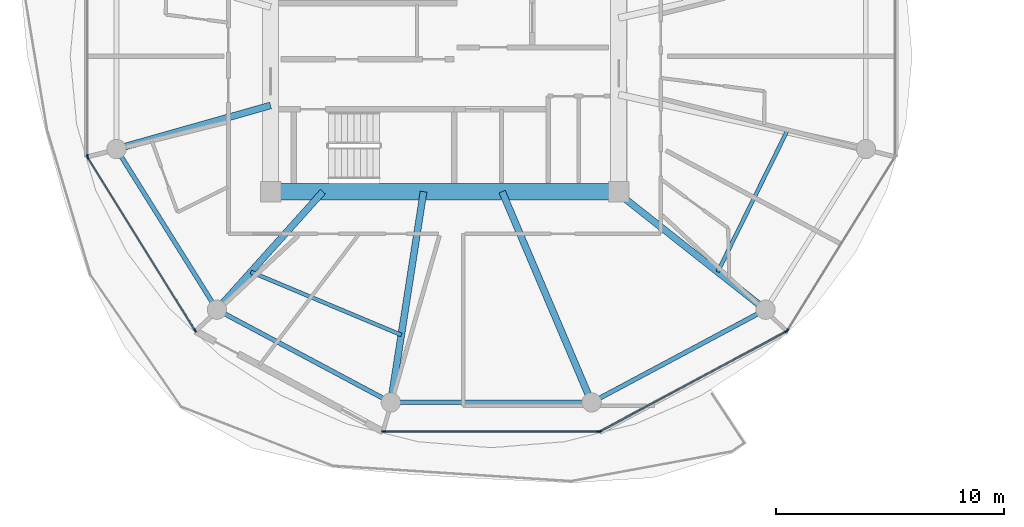
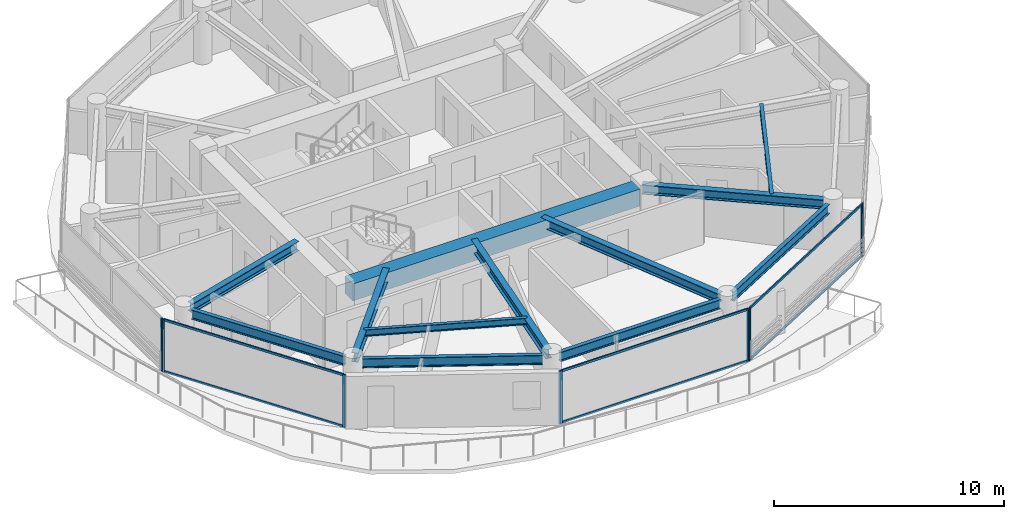
# One storey, part 2 of 24: 14 members, 12 beams, 5 elements without a shape of their own.
"""IFC4 building model written with IfcOpenShell, lengths in metres."""

from ifc_helpers import new_model, si_unit, direction, frame, origin, origin_2d, place, context, subcontext, project, spatial, rectangle, i_section, extrude, source, transform, mapped, material, layer, layer_set, material_profile, profile_set, type_object, type_shapes, element, aggregate, save


model = new_model("IFC4")

# Units and contexts
model_context = context("Model", 3, precision=1e-05, world=origin(), true_north=direction((0.0, 1.0)))
body_context = subcontext(model_context, "Body", "Model", "MODEL_VIEW")
ifc_project = project(units=[si_unit("LENGTHUNIT", "METRE"), si_unit("AREAUNIT", "SQUARE_METRE"), si_unit("VOLUMEUNIT", "CUBIC_METRE"), si_unit("PLANEANGLEUNIT", "RADIAN"), si_unit("MASSUNIT", "GRAM", prefix="KILO")], contexts=[model_context])

# Site, building, storey
site_placement = place(None, origin())
site = spatial("IfcSite", under=ifc_project, at=site_placement, CompositionType="ELEMENT")
building_placement = place(site_placement, origin())
building = spatial("IfcBuilding", under=site, at=building_placement, Name="Norrkilde Senior Care Towers", CompositionType="ELEMENT")
storey_placement = place(building_placement, frame((0.0, 0.0, 108.449951171875)))
storey = spatial("IfcBuildingStorey", under=building, at=storey_placement, Name="L33", CompositionType="ELEMENT", Elevation=108.449951171875)

# Beams
ifc_material_1 = material(Name="Concrete C60/75", Category="concrete")
ifc_material_profile_1 = material_profile(ifc_material_1, rectangle(XDim=0.699951171875, YDim=0.89990234375, at=origin_2d()), Name="RC BM 700x900")
ifc_profile_set_1 = profile_set([ifc_material_profile_1], Name="Concrete C60/75")
beam_type_1 = type_object("IfcBeamType", Name="Core Coupling Girder 700x900", PredefinedType="USERDEFINED", material=ifc_profile_set_1)
shared_shape_1 = source(origin(), body_context, "Body", "SweptSolid", [
    extrude(rectangle(XDim=0.699951171875, YDim=0.89990234375, at=origin_2d()), origin(), (0.0, 0.0, 1.0), 14.43994140625),
])
type_shapes(beam_type_1, [shared_shape_1])
beam_1_placement = place(storey_placement, frame((-35.219970703125, -5.949951171875, 2.340087890625), z_axis=(1.0, 0.0, 0.0), x_axis=(0.0, 1.0, 0.0)))
element("IfcBeam", 1, at=beam_1_placement, inside=storey, type_object=beam_type_1, Name="L33 Core W S Coupling Girder", ObjectType="GIRDER", PredefinedType="USERDEFINED", context=body_context, shape_type="MappedRepresentation", body=[
    mapped(shared_shape_1, transform((0.0, 0.0, 0.0), x_axis=(1.0, 0.0, 0.0), y_axis=(0.0, 1.0, 0.0), z_axis=(0.0, 0.0, 1.0), scale=1.0)),
])
ifc_material_2 = material(Name="Steel S355", Category="steel")
ifc_material_profile_2 = material_profile(ifc_material_2, i_section(OverallWidth=0.199951171875, OverallDepth=0.5, WebThickness=0.01025390625, FlangeThickness=0.01611328125, FilletRadius=0.02099609375, at=origin_2d()), Name="IPE 500")
ifc_profile_set_2 = profile_set([ifc_material_profile_2], Name="Steel S355")
beam_type_2 = type_object("IfcBeamType", Name="Perimeter Ring Spandrel Z2 IPE500", PredefinedType="SPANDREL", material=ifc_profile_set_2)
shared_shape_2 = source(origin(), body_context, "Body", "SweptSolid", [
    extrude(i_section(OverallWidth=0.199951171875, OverallDepth=0.5, WebThickness=0.01025390625, FlangeThickness=0.01611328125, FilletRadius=0.02099609375, at=origin_2d()), origin(), (0.0, 0.0, 1.0), 7.892333984375),
])
for number, where, z_axis, x_axis, name in (
    (2, (-37.66650390625, -11.318115234375, 2.5400390625), (0.882350372282, -0.47059305194, 0.0), (0.47059305194, 0.882350372282, 0.0), "L33 Drum W Perimeter Spandrel 08"),
    (3, (-21.197509765625, -15.0322265625, 2.5400390625), (0.882350372282, 0.47059305194, 0.0), (-0.47059305194, 0.882350372282, 0.0), "L33 Drum W Perimeter Spandrel 10"),
):
    element("IfcBeam", number, at=place(storey_placement, frame(where, z_axis=z_axis, x_axis=x_axis)), inside=storey, type_object=beam_type_2, Name=name, PredefinedType="SPANDREL", context=body_context, shape_type="MappedRepresentation", body=[
        mapped(shared_shape_2, transform((0.0, 0.0, 0.0), x_axis=(1.0, 0.0, 0.0), y_axis=(0.0, 1.0, 0.0), z_axis=(0.0, 0.0, 1.0), scale=1.0)),
    ])
ifc_material_profile_3 = material_profile(ifc_material_2, i_section(OverallWidth=0.300048828125, OverallDepth=0.5, WebThickness=0.014404296875, FlangeThickness=0.028076171875, FilletRadius=0.027099609375, at=origin_2d()), Name="HEB 500")
ifc_profile_set_3 = profile_set([ifc_material_profile_3], Name="Steel S355")
beam_type_3 = type_object("IfcBeamType", Name="Radial Floor Beam Z2 HEB500", PredefinedType="BEAM", material=ifc_profile_set_3)
shared_shape_3 = source(origin(), body_context, "Body", "SweptSolid", [
    extrude(i_section(OverallWidth=0.300048828125, OverallDepth=0.5, WebThickness=0.014404296875, FlangeThickness=0.028076171875, FilletRadius=0.027099609375, at=origin_2d()), origin(), (0.0, 0.0, 1.0), 7.985595703125),
])
beam_2_placement = place(storey_placement, frame((-20.463623046875, -5.949951171875, 2.5400390625), z_axis=(0.784858505144, -0.619675017169, 0.0), x_axis=(0.619675017169, 0.784858505144, 0.0)))
element("IfcBeam", 4, at=beam_2_placement, inside=storey, type_object=beam_type_3, Name="L33 Drum W Radial Floor Beam 11", PredefinedType="BEAM", context=body_context, shape_type="MappedRepresentation", body=[
    mapped(shared_shape_3, transform((0.0, 0.0, 0.0), x_axis=(1.0, 0.0, 0.0), y_axis=(0.0, 1.0, 0.0), z_axis=(0.0, 0.0, 1.0), scale=1.0)),
])
shared_shape_4 = source(origin(), body_context, "Body", "SweptSolid", [
    extrude(i_section(OverallWidth=0.199951171875, OverallDepth=0.5, WebThickness=0.01025390625, FlangeThickness=0.01611328125, FilletRadius=0.02099609375, at=origin_2d()), origin(), (0.0, 0.0, 1.0), 8.0556640625),
])
beam_3_placement = place(storey_placement, frame((-29.977783203125, -15.21337890625, 2.5400390625), z_axis=(1.0, 0.0, 0.0), x_axis=(0.0, 1.0, 0.0)))
element("IfcBeam", 5, at=beam_3_placement, inside=storey, type_object=beam_type_2, Name="L33 Drum W Perimeter Spandrel 09", PredefinedType="SPANDREL", context=body_context, shape_type="MappedRepresentation", body=[
    mapped(shared_shape_4, transform((0.0, 0.0, 0.0), x_axis=(1.0, 0.0, 0.0), y_axis=(0.0, 1.0, 0.0), z_axis=(0.0, 0.0, 1.0), scale=1.0)),
])
shared_shape_5 = source(origin(), body_context, "Body", "SweptSolid", [
    extrude(i_section(OverallWidth=0.300048828125, OverallDepth=0.5, WebThickness=0.014404296875, FlangeThickness=0.028076171875, FilletRadius=0.027099609375, at=origin_2d()), origin(), (0.0, 0.0, 1.0), 9.679443359375),
])
beam_4_placement = place(storey_placement, frame((-25.472412109375, -5.949951171875, 2.5400390625), z_axis=(0.390998033479, -0.920391513333, 0.0), x_axis=(0.920391513333, 0.390998033479, 0.0)))
element("IfcBeam", 6, at=beam_4_placement, inside=storey, type_object=beam_type_3, Name="L33 Drum W Radial Floor Beam 10", PredefinedType="BEAM", context=body_context, shape_type="MappedRepresentation", body=[
    mapped(shared_shape_5, transform((0.0, 0.0, 0.0), x_axis=(1.0, 0.0, 0.0), y_axis=(0.0, 1.0, 0.0), z_axis=(0.0, 0.0, 1.0), scale=1.0)),
])
shared_shape_6 = source(origin(), body_context, "Body", "SweptSolid", [
    extrude(i_section(OverallWidth=0.300048828125, OverallDepth=0.5, WebThickness=0.014404296875, FlangeThickness=0.028076171875, FilletRadius=0.027099609375, at=origin_2d()), origin(), (0.0, 0.0, 1.0), 8.989501953125),
])
beam_5_placement = place(storey_placement, frame((-28.924072265625, -5.949951171875, 2.5400390625), z_axis=(-0.153471298636, -0.988153105796, 0.0), x_axis=(0.988153105796, -0.153471298636, 0.0)))
element("IfcBeam", 7, at=beam_5_placement, inside=storey, type_object=beam_type_3, Name="L33 Drum W Radial Floor Beam 09", PredefinedType="BEAM", context=body_context, shape_type="MappedRepresentation", body=[
    mapped(shared_shape_6, transform((0.0, 0.0, 0.0), x_axis=(1.0, 0.0, 0.0), y_axis=(0.0, 1.0, 0.0), z_axis=(0.0, 0.0, 1.0), scale=1.0)),
])
shared_shape_7 = source(origin(), body_context, "Body", "SweptSolid", [
    extrude(i_section(OverallWidth=0.199951171875, OverallDepth=0.5, WebThickness=0.01025390625, FlangeThickness=0.01611328125, FilletRadius=0.02099609375, at=origin_2d()), origin(), (0.0, 0.0, 1.0), 7.556396484375),
])
type_shapes(beam_type_2, [shared_shape_2, shared_shape_4, shared_shape_7])
beam_6_placement = place(storey_placement, frame((-42.215087890625, -4.40283203125, 2.5400390625), z_axis=(0.530004748437, -0.847994673706, 0.0), x_axis=(0.847994673706, 0.530004748437, 0.0)))
element("IfcBeam", 8, at=beam_6_placement, inside=storey, type_object=beam_type_2, Name="L33 Drum W Perimeter Spandrel 07", PredefinedType="SPANDREL", context=body_context, shape_type="MappedRepresentation", body=[
    mapped(shared_shape_7, transform((0.0, 0.0, 0.0), x_axis=(1.0, 0.0, 0.0), y_axis=(0.0, 1.0, 0.0), z_axis=(0.0, 0.0, 1.0), scale=1.0)),
])
shared_shape_8 = source(origin(), body_context, "Body", "SweptSolid", [
    extrude(i_section(OverallWidth=0.300048828125, OverallDepth=0.5, WebThickness=0.014404296875, FlangeThickness=0.028076171875, FilletRadius=0.027099609375, at=origin_2d()), origin(), (0.0, 0.0, 1.0), 6.587890625),
])
beam_7_placement = place(storey_placement, frame((-33.345947265625, -5.949951171875, 2.5400390625), z_axis=(-0.668315438605, -0.743877997068, 0.0), x_axis=(0.743877997068, -0.668315438605, 0.0)))
element("IfcBeam", 9, at=beam_7_placement, inside=storey, type_object=beam_type_3, Name="L33 Drum W Radial Floor Beam 08", PredefinedType="BEAM", context=body_context, shape_type="MappedRepresentation", body=[
    mapped(shared_shape_8, transform((0.0, 0.0, 0.0), x_axis=(1.0, 0.0, 0.0), y_axis=(0.0, 1.0, 0.0), z_axis=(0.0, 0.0, 1.0), scale=1.0)),
])
shared_shape_9 = source(origin(), body_context, "Body", "SweptSolid", [
    extrude(i_section(OverallWidth=0.300048828125, OverallDepth=0.5, WebThickness=0.014404296875, FlangeThickness=0.028076171875, FilletRadius=0.027099609375, at=origin_2d()), origin(), (0.0, 0.0, 1.0), 6.6494140625),
])
type_shapes(beam_type_3, [shared_shape_3, shared_shape_5, shared_shape_6, shared_shape_8, shared_shape_9])
beam_8_placement = place(storey_placement, frame((-35.64990234375, -2.162841796875, 2.5400390625), z_axis=(-0.962289138357, -0.27202870106, 0.0), x_axis=(0.27202870106, -0.962289138357, 0.0)))
element("IfcBeam", 10, at=beam_8_placement, inside=storey, type_object=beam_type_3, Name="L33 Drum W Radial Floor Beam 07", PredefinedType="BEAM", context=body_context, shape_type="MappedRepresentation", body=[
    mapped(shared_shape_9, transform((0.0, 0.0, 0.0), x_axis=(1.0, 0.0, 0.0), y_axis=(0.0, 1.0, 0.0), z_axis=(0.0, 0.0, 1.0), scale=1.0)),
])
ifc_material_profile_4 = material_profile(ifc_material_2, i_section(OverallWidth=0.169921875, OverallDepth=0.360107421875, WebThickness=0.008056640625, FlangeThickness=0.0126953125, FilletRadius=0.01806640625, at=origin_2d()), Name="IPE 360")
ifc_profile_set_4 = profile_set([ifc_material_profile_4], Name="Steel S355")
beam_type_4 = type_object("IfcBeamType", Name="Secondary Floor Joist IPE360", PredefinedType="JOIST", material=ifc_profile_set_4)
shared_shape_10 = source(origin(), body_context, "Body", "SweptSolid", [
    extrude(i_section(OverallWidth=0.169921875, OverallDepth=0.360107421875, WebThickness=0.008056640625, FlangeThickness=0.0126953125, FilletRadius=0.01806640625, at=origin_2d()), origin(), (0.0, 0.0, 1.0), 7.169921875),
])
beam_9_placement = place(storey_placement, frame((-36.514892578125, -9.47705078125, 2.610107421875), z_axis=(0.922240600393, -0.386616444279, 0.0), x_axis=(0.386616444279, 0.922240600393, 0.0)))
element("IfcBeam", 11, at=beam_9_placement, inside=storey, type_object=beam_type_4, Name="L33 Drum W Secondary Floor Joist 3", PredefinedType="JOIST", context=body_context, shape_type="MappedRepresentation", body=[
    mapped(shared_shape_10, transform((0.0, 0.0, 0.0), x_axis=(1.0, 0.0, 0.0), y_axis=(0.0, 1.0, 0.0), z_axis=(0.0, 0.0, 1.0), scale=1.0)),
])
shared_shape_11 = source(origin(), body_context, "Body", "SweptSolid", [
    extrude(i_section(OverallWidth=0.169921875, OverallDepth=0.360107421875, WebThickness=0.008056640625, FlangeThickness=0.0126953125, FilletRadius=0.01806640625, at=origin_2d()), origin(), (0.0, 0.0, 1.0), 6.87353515625),
])
type_shapes(beam_type_4, [shared_shape_10, shared_shape_11])
beam_10_placement = place(storey_placement, frame((-15.99609375, -9.47705078125, 2.610107421875), z_axis=(0.44184939592, 0.897089243791, 0.0), x_axis=(-0.897089243791, 0.44184939592, 0.0)))
element("IfcBeam", 12, at=beam_10_placement, inside=storey, type_object=beam_type_4, Name="L33 Drum W Secondary Floor Joist 4", PredefinedType="JOIST", context=body_context, shape_type="MappedRepresentation", body=[
    mapped(shared_shape_11, transform((0.0, 0.0, 0.0), x_axis=(1.0, 0.0, 0.0), y_axis=(0.0, 1.0, 0.0), z_axis=(0.0, 0.0, 1.0), scale=1.0)),
])

# Curtain wall, member
ifc_material_3 = material(Name="Triple Low-E Insulated Glazing", Category="glass")
ifc_layer = layer(ifc_material_3, 0.195068359375)
ifc_layer_set = layer_set([ifc_layer], Name="Triple Low-E Insulated Glazing")
curtain_wall_type = type_object("IfcCurtainWallType", Name="CW3 Zone 2 Assisted Living Curtain Wall", PredefinedType="NOTDEFINED", material=ifc_layer_set)
curtain_wall_1_placement = place(storey_placement, origin())
curtain_wall_1 = element("IfcCurtainWall", 13, at=curtain_wall_1_placement, inside=storey, type_object=curtain_wall_type, Name="L33 Drum W Curtain Wall 05", PredefinedType="NOTDEFINED")
ifc_material_4 = material(Name="Anodised Aluminium", Category="aluminium")
ifc_material_profile_5 = material_profile(ifc_material_4, rectangle(XDim=0.06494140625, YDim=0.159912109375, at=origin_2d()), Name="ALU MULL 65x160")
ifc_profile_set_5 = profile_set([ifc_material_profile_5], Name="Anodised Aluminium")
member_type_1 = type_object("IfcMemberType", Name="Curtain Wall Mullion Z1-Z2 65x160", PredefinedType="MULLION", material=ifc_profile_set_5)
shared_shape_12 = source(origin(), body_context, "Body", "SweptSolid", [
    extrude(rectangle(XDim=0.06494140625, YDim=0.159912109375, at=origin_2d()), origin(), (0.0, 0.0, 1.0), 2.7900390625),
])
type_shapes(member_type_1, [shared_shape_12])
member_1_placement = place(storey_placement, frame((-43.70361328125, -4.38818359375, 0.0), z_axis=(0.0, 0.0, 1.0), x_axis=(-1.0, 0.0, 0.0)))
member_1 = element("IfcMember", 14, at=member_1_placement, type_object=member_type_1, Name="CW-3 mullion 1", PredefinedType="MULLION", context=body_context, shape_type="MappedRepresentation", body=[
    mapped(shared_shape_12, transform((0.0, 0.0, 0.0), x_axis=(1.0, 0.0, 0.0), y_axis=(0.0, 1.0, 0.0), z_axis=(0.0, 0.0, 1.0), scale=1.0)),
])
aggregate(curtain_wall_1, [member_1])

# Curtain wall, members
curtain_wall_2_placement = place(storey_placement, origin())
curtain_wall_2 = element("IfcCurtainWall", 15, at=curtain_wall_2_placement, inside=storey, type_object=curtain_wall_type, Name="L33 Drum W Curtain Wall 06", PredefinedType="NOTDEFINED")
member_2_placement = place(storey_placement, frame((-38.9638671875, -12.0498046875, 0.0), z_axis=(0.0, 0.0, 1.0), x_axis=(-0.849410171862, -0.527733228002, 0.0)))
member_2 = element("IfcMember", 16, at=member_2_placement, type_object=member_type_1, Name="CW-3 mullion 1", PredefinedType="MULLION", context=body_context, shape_type="MappedRepresentation", body=[
    mapped(shared_shape_12, transform((0.0, 0.0, 0.0), x_axis=(1.0, 0.0, 0.0), y_axis=(0.0, 1.0, 0.0), z_axis=(0.0, 0.0, 1.0), scale=1.0)),
])
member_3_placement = place(storey_placement, frame((-43.6865234375, -4.4482421875, 0.0), z_axis=(0.0, 0.0, 1.0), x_axis=(-0.849410171862, -0.527733228002, 0.0)))
member_3 = element("IfcMember", 17, at=member_3_placement, type_object=member_type_1, Name="CW-3 mullion 2", PredefinedType="MULLION", context=body_context, shape_type="MappedRepresentation", body=[
    mapped(shared_shape_12, transform((0.0, 0.0, 0.0), x_axis=(1.0, 0.0, 0.0), y_axis=(0.0, 1.0, 0.0), z_axis=(0.0, 0.0, 1.0), scale=1.0)),
])

curtain_wall_3_placement = place(storey_placement, origin())
curtain_wall_3 = element("IfcCurtainWall", 18, at=curtain_wall_3_placement, inside=storey, type_object=curtain_wall_type, Name="L33 Drum W Curtain Wall 08", PredefinedType="NOTDEFINED")
member_4_placement = place(storey_placement, frame((-21.225341796875, -16.498046875, 0.0), z_axis=(0.0, 0.0, 1.0), x_axis=(0.0, -1.0, 0.0)))
member_4 = element("IfcMember", 19, at=member_4_placement, type_object=member_type_1, Name="CW-3 mullion 1", PredefinedType="MULLION", context=body_context, shape_type="MappedRepresentation", body=[
    mapped(shared_shape_12, transform((0.0, 0.0, 0.0), x_axis=(1.0, 0.0, 0.0), y_axis=(0.0, 1.0, 0.0), z_axis=(0.0, 0.0, 1.0), scale=1.0)),
])
member_5_placement = place(storey_placement, frame((-30.674560546875, -16.498046875, 0.0), z_axis=(0.0, 0.0, 1.0), x_axis=(0.0, -1.0, 0.0)))
member_5 = element("IfcMember", 20, at=member_5_placement, type_object=member_type_1, Name="CW-3 mullion 2", PredefinedType="MULLION", context=body_context, shape_type="MappedRepresentation", body=[
    mapped(shared_shape_12, transform((0.0, 0.0, 0.0), x_axis=(1.0, 0.0, 0.0), y_axis=(0.0, 1.0, 0.0), z_axis=(0.0, 0.0, 1.0), scale=1.0)),
])

curtain_wall_4_placement = place(storey_placement, origin())
curtain_wall_4 = element("IfcCurtainWall", 21, at=curtain_wall_4_placement, inside=storey, type_object=curtain_wall_type, Name="L33 Drum W Curtain Wall 09", PredefinedType="NOTDEFINED")
member_6_placement = place(storey_placement, frame((-12.98193359375, -12.0927734375, 0.0), z_axis=(0.0, 0.0, 1.0), x_axis=(0.472769402511, -0.881186184668, 0.0)))
member_6 = element("IfcMember", 22, at=member_6_placement, type_object=member_type_1, Name="CW-3 mullion 1", PredefinedType="MULLION", context=body_context, shape_type="MappedRepresentation", body=[
    mapped(shared_shape_12, transform((0.0, 0.0, 0.0), x_axis=(1.0, 0.0, 0.0), y_axis=(0.0, 1.0, 0.0), z_axis=(0.0, 0.0, 1.0), scale=1.0)),
])
member_7_placement = place(storey_placement, frame((-21.164306640625, -16.482666015625, 0.0), z_axis=(0.0, 0.0, 1.0), x_axis=(0.472769402511, -0.881186184668, 0.0)))
member_7 = element("IfcMember", 23, at=member_7_placement, type_object=member_type_1, Name="CW-3 mullion 2", PredefinedType="MULLION", context=body_context, shape_type="MappedRepresentation", body=[
    mapped(shared_shape_12, transform((0.0, 0.0, 0.0), x_axis=(1.0, 0.0, 0.0), y_axis=(0.0, 1.0, 0.0), z_axis=(0.0, 0.0, 1.0), scale=1.0)),
])

# Curtain wall, member
curtain_wall_5_placement = place(storey_placement, origin())
curtain_wall_5 = element("IfcCurtainWall", 24, at=curtain_wall_5_placement, inside=storey, type_object=curtain_wall_type, Name="L33 Drum W Curtain Wall 10", PredefinedType="NOTDEFINED")
member_8_placement = place(storey_placement, frame((-12.936279296875, -12.0498046875, 0.0), z_axis=(0.0, 0.0, 1.0), x_axis=(0.849410171862, -0.527733228002, 0.0)))
member_8 = element("IfcMember", 25, at=member_8_placement, type_object=member_type_1, Name="CW-3 mullion 2", PredefinedType="MULLION", context=body_context, shape_type="MappedRepresentation", body=[
    mapped(shared_shape_12, transform((0.0, 0.0, 0.0), x_axis=(1.0, 0.0, 0.0), y_axis=(0.0, 1.0, 0.0), z_axis=(0.0, 0.0, 1.0), scale=1.0)),
])
aggregate(curtain_wall_5, [member_8])

# Member
ifc_material_profile_6 = material_profile(ifc_material_4, rectangle(XDim=0.06005859375, YDim=0.1201171875, at=origin_2d()), Name="ALU TRAN 60x120")
ifc_profile_set_6 = profile_set([ifc_material_profile_6], Name="Anodised Aluminium")
member_type_2 = type_object("IfcMemberType", Name="Curtain Wall Transom Typical 60x120", PredefinedType="USERDEFINED", material=ifc_profile_set_6)
shared_shape_13 = source(origin(), body_context, "Body", "SweptSolid", [
    extrude(rectangle(XDim=0.06005859375, YDim=0.1201171875, at=origin_2d()), origin(), (0.0, 0.0, 1.0), 8.88427734375),
])
member_9_placement = place(storey_placement, frame((-38.98095703125, -12.022216796875, 0.030029296875), z_axis=(-0.527729466743, 0.849412508697, 0.0), x_axis=(-0.849412508697, -0.527729466743, 0.0)))
member_9 = element("IfcMember", 26, at=member_9_placement, type_object=member_type_2, Name="CW-3 transom 1.1", ObjectType="TRANSOM", PredefinedType="USERDEFINED", context=body_context, shape_type="MappedRepresentation", body=[
    mapped(shared_shape_13, transform((0.0, 0.0, 0.0), x_axis=(1.0, 0.0, 0.0), y_axis=(0.0, 1.0, 0.0), z_axis=(0.0, 0.0, 1.0), scale=1.0)),
])

member_10_placement = place(storey_placement, frame((-38.98095703125, -12.022216796875, 2.760009765625), z_axis=(-0.527729466743, 0.849412508697, 0.0), x_axis=(-0.849412508697, -0.527729466743, 0.0)))
member_10 = element("IfcMember", 27, at=member_10_placement, type_object=member_type_2, Name="CW-3 transom 1.2", ObjectType="TRANSOM", PredefinedType="USERDEFINED", context=body_context, shape_type="MappedRepresentation", body=[
    mapped(shared_shape_13, transform((0.0, 0.0, 0.0), x_axis=(1.0, 0.0, 0.0), y_axis=(0.0, 1.0, 0.0), z_axis=(0.0, 0.0, 1.0), scale=1.0)),
])

aggregate(curtain_wall_2, [member_2, member_3, member_9, member_10])

shared_shape_14 = source(origin(), body_context, "Body", "SweptSolid", [
    extrude(rectangle(XDim=0.06005859375, YDim=0.1201171875, at=origin_2d()), origin(), (0.0, 0.0, 1.0), 9.220458984375),
])
member_11_placement = place(storey_placement, frame((-13.0107421875, -12.108154296875, 0.030029296875), z_axis=(-0.881188517866, -0.472765053681, 0.0), x_axis=(0.472765053681, -0.881188517866, 0.0)))
member_11 = element("IfcMember", 28, at=member_11_placement, type_object=member_type_2, Name="CW-3 transom 1.1", ObjectType="TRANSOM", PredefinedType="USERDEFINED", context=body_context, shape_type="MappedRepresentation", body=[
    mapped(shared_shape_14, transform((0.0, 0.0, 0.0), x_axis=(1.0, 0.0, 0.0), y_axis=(0.0, 1.0, 0.0), z_axis=(0.0, 0.0, 1.0), scale=1.0)),
])

member_12_placement = place(storey_placement, frame((-13.0107421875, -12.108154296875, 2.760009765625), z_axis=(-0.881188517866, -0.472765053681, 0.0), x_axis=(0.472765053681, -0.881188517866, 0.0)))
member_12 = element("IfcMember", 29, at=member_12_placement, type_object=member_type_2, Name="CW-3 transom 1.2", ObjectType="TRANSOM", PredefinedType="USERDEFINED", context=body_context, shape_type="MappedRepresentation", body=[
    mapped(shared_shape_14, transform((0.0, 0.0, 0.0), x_axis=(1.0, 0.0, 0.0), y_axis=(0.0, 1.0, 0.0), z_axis=(0.0, 0.0, 1.0), scale=1.0)),
])

aggregate(curtain_wall_4, [member_6, member_7, member_11, member_12])

shared_shape_15 = source(origin(), body_context, "Body", "SweptSolid", [
    extrude(rectangle(XDim=0.06005859375, YDim=0.1201171875, at=origin_2d()), origin(), (0.0, 0.0, 1.0), 9.38427734375),
])
type_shapes(member_type_2, [shared_shape_13, shared_shape_14, shared_shape_15])
member_13_placement = place(storey_placement, frame((-21.2578125, -16.498046875, 0.030029296875), z_axis=(-1.0, 0.0, 0.0), x_axis=(0.0, -1.0, 0.0)))
member_13 = element("IfcMember", 30, at=member_13_placement, type_object=member_type_2, Name="CW-3 transom 1.1", ObjectType="TRANSOM", PredefinedType="USERDEFINED", context=body_context, shape_type="MappedRepresentation", body=[
    mapped(shared_shape_15, transform((0.0, 0.0, 0.0), x_axis=(1.0, 0.0, 0.0), y_axis=(0.0, 1.0, 0.0), z_axis=(0.0, 0.0, 1.0), scale=1.0)),
])

member_14_placement = place(storey_placement, frame((-21.2578125, -16.498046875, 2.760009765625), z_axis=(-1.0, 0.0, 0.0), x_axis=(0.0, -1.0, 0.0)))
member_14 = element("IfcMember", 31, at=member_14_placement, type_object=member_type_2, Name="CW-3 transom 1.2", ObjectType="TRANSOM", PredefinedType="USERDEFINED", context=body_context, shape_type="MappedRepresentation", body=[
    mapped(shared_shape_15, transform((0.0, 0.0, 0.0), x_axis=(1.0, 0.0, 0.0), y_axis=(0.0, 1.0, 0.0), z_axis=(0.0, 0.0, 1.0), scale=1.0)),
])

aggregate(curtain_wall_3, [member_4, member_5, member_13, member_14])

save(model, "model.ifc")
